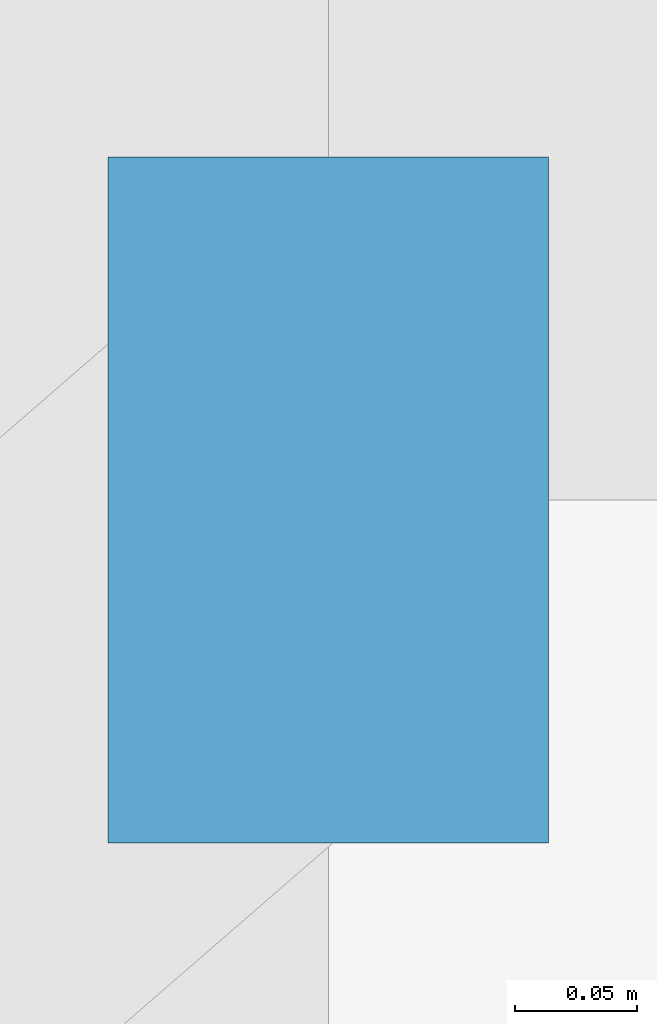
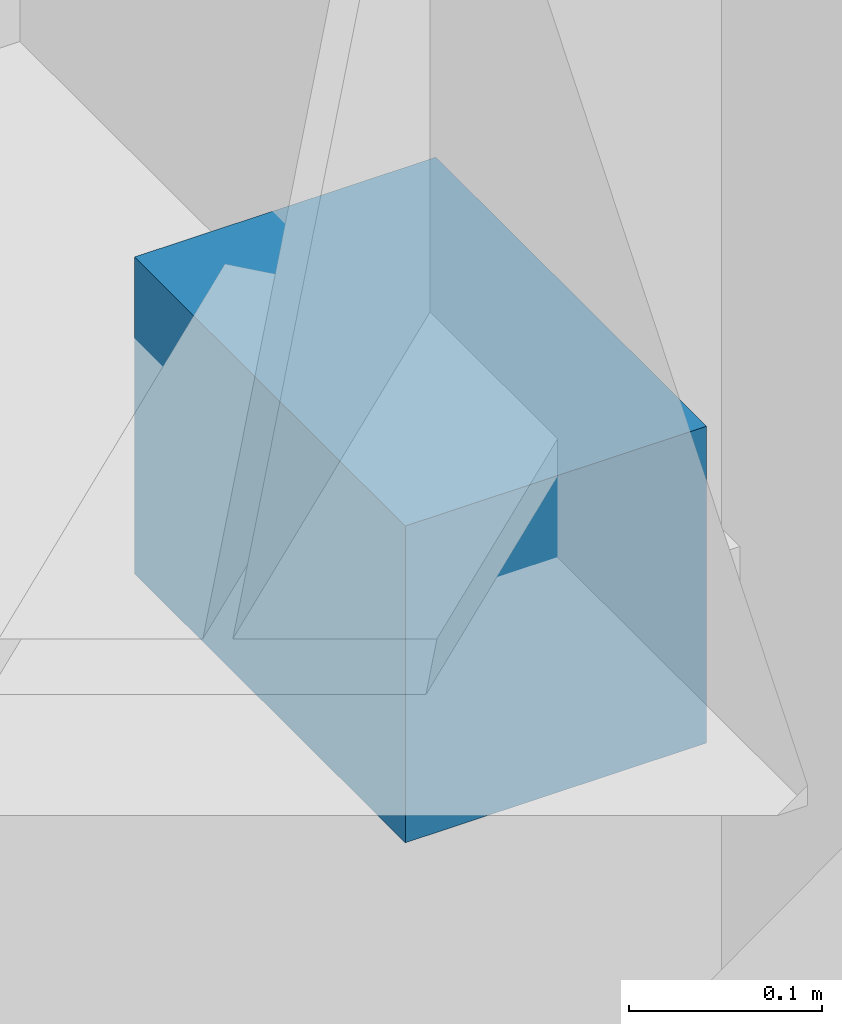
# One storey, part 19 of 24: 1 discrete accessory.
"""IFC4 building model written with IfcOpenShell, lengths in metres."""

from ifc_helpers import new_model, si_unit, direction, frame, origin, origin_2d, place, context, subcontext, project, spatial, rectangle, extrude, material, type_object, element, save


model = new_model("IFC4")

# Units and contexts
model_context = context("Model", 3, precision=1e-05, world=origin(), true_north=direction((0.0, 1.0)))
body_context = subcontext(model_context, "Body", "Model", "MODEL_VIEW")
ifc_project = project(units=[si_unit("LENGTHUNIT", "METRE"), si_unit("AREAUNIT", "SQUARE_METRE"), si_unit("VOLUMEUNIT", "CUBIC_METRE"), si_unit("PLANEANGLEUNIT", "RADIAN"), si_unit("MASSUNIT", "GRAM", prefix="KILO")], contexts=[model_context])

# Site, building, storey
site_placement = place(None, origin())
site = spatial("IfcSite", under=ifc_project, at=site_placement, CompositionType="ELEMENT")
building_placement = place(site_placement, origin())
building = spatial("IfcBuilding", under=site, at=building_placement, Name="Mirazonda Arch Towers", CompositionType="ELEMENT")
storey_placement = place(building_placement, frame((0.0, 0.0, 154.39990234375)))
storey = spatial("IfcBuildingStorey", under=building, at=storey_placement, Name="L43", CompositionType="ELEMENT", Elevation=154.39990234375)

# Discrete accessory
ifc_material = material(Name="Steel ASTM A572 Grade 50", Category="steel")
discrete_accessory_type = type_object("IfcDiscreteAccessoryType", Name="BRACKET-FACADE", PredefinedType="BRACKET", material=ifc_material)
discrete_accessory_placement = place(storey_placement, frame((90.39990234375, 20.800048828125, 2.30029296875), z_axis=(0.0, 0.0, 1.0), x_axis=(1.0, 0.0, 0.0)))
element("IfcDiscreteAccessory", 1, at=discrete_accessory_placement, inside=storey, type_object=discrete_accessory_type, Name="L43 Facade Support Bracket 06", PredefinedType="BRACKET", context=body_context, shape_type="SweptSolid", body=[
    extrude(rectangle(XDim=0.179931640625, YDim=0.280029296875, at=origin_2d()), origin(), (0.0, 0.0, 1.0), 0.199951171875),
])

save(model, "model.ifc")
